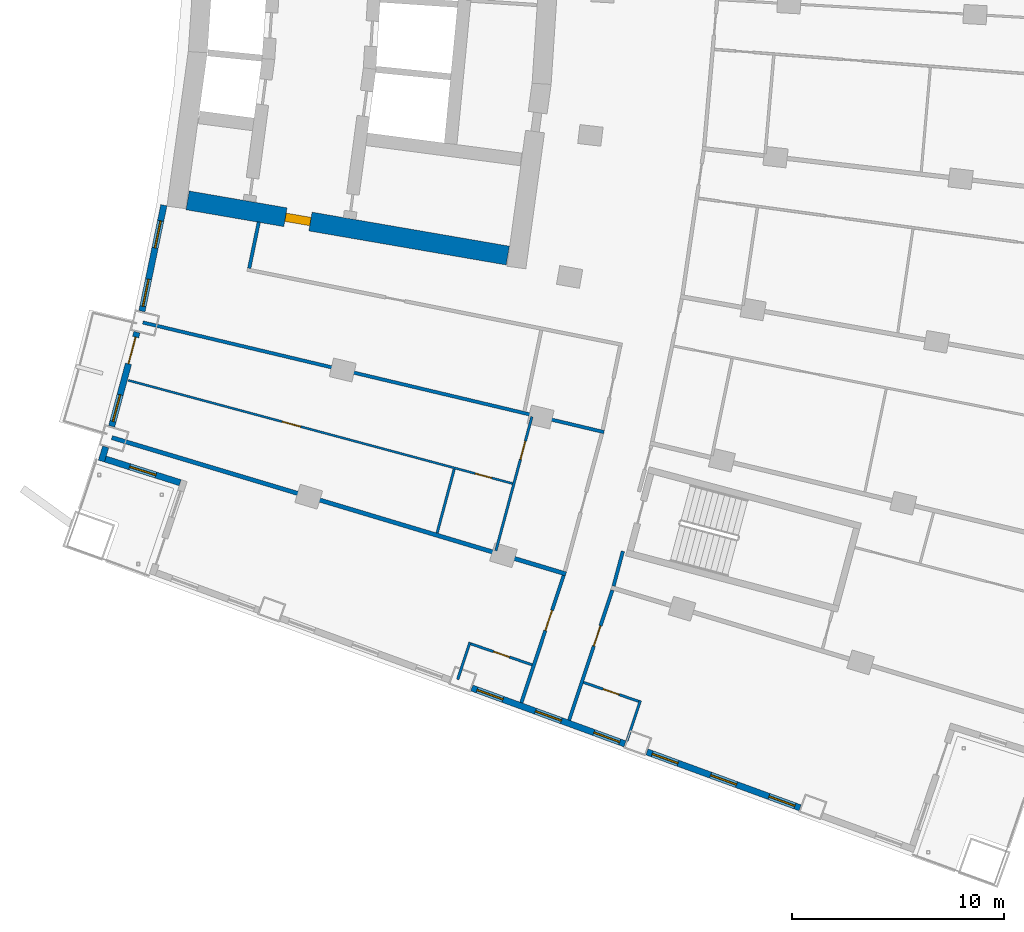
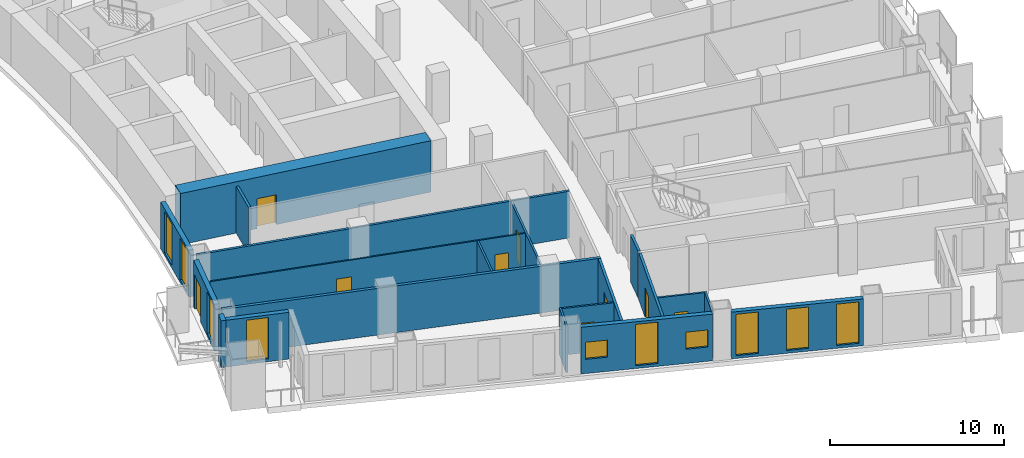
# One storey, part 13 of 25: 20 walls, 10 windows, 9 doors, 19 openings.
"""IFC4 building model written with IfcOpenShell, lengths in metres."""

from ifc_helpers import new_model, si_unit, direction, frame, frame_2d, origin, place, context, subcontext, project, spatial, rectangle, extrude, material, layer, layer_set, type_object, element, fill, save


model = new_model("IFC4")

# Units and contexts
model_context = context("Model", 3, precision=1e-05, world=origin(), true_north=direction((0.0, 1.0)))
body_context = subcontext(model_context, "Body", "Model", "MODEL_VIEW")
ifc_project = project(units=[si_unit("LENGTHUNIT", "METRE"), si_unit("AREAUNIT", "SQUARE_METRE"), si_unit("VOLUMEUNIT", "CUBIC_METRE"), si_unit("PLANEANGLEUNIT", "RADIAN"), si_unit("MASSUNIT", "GRAM", prefix="KILO")], contexts=[model_context])

# Site, building, storey
site_placement = place(None, origin())
site = spatial("IfcSite", under=ifc_project, at=site_placement, CompositionType="ELEMENT")
building_placement = place(site_placement, origin())
building = spatial("IfcBuilding", under=site, at=building_placement, Name="Alderwake Tower", CompositionType="ELEMENT")
storey_placement = place(building_placement, frame((0.0, 0.0, 68.0)))
storey = spatial("IfcBuildingStorey", under=building, at=storey_placement, Name="L16", CompositionType="ELEMENT", Elevation=68.0)

# Wall, opening, door
ifc_material_1 = material(Name="Concrete C70/85", Category="concrete")
ifc_layer_1 = layer(ifc_material_1, 0.89990234375)
ifc_layer_set_1 = layer_set([ifc_layer_1], Name="Core wall outer 900 C70-85")
wall_type_1 = type_object("IfcWallType", Name="Core wall outer 900 C70-85", PredefinedType="SHEAR", material=ifc_layer_set_1)
wall_1_placement = place(storey_placement, frame((31.11328125, 41.846923828125, 0.0), z_axis=(0.0, 0.0, 1.0), x_axis=(-0.985466640605, 0.169869067972, 0.0)))
wall_1 = element("IfcWall", 1, at=wall_1_placement, inside=storey, type_object=wall_type_1, Name="Core wall CW.070", PredefinedType="SHEAR", context=body_context, shape_type="SweptSolid", body=[
    extrude(rectangle(XDim=15.336669921875, YDim=0.89990234375, at=frame_2d((7.66845703125, 0.0))), origin(), (0.0, 0.0, 1.0), 3.60009765625),
])
opening_1_placement = place(wall_1_placement, frame((9.451904296875, 0.0, 0.0)))
opening_1 = element("IfcOpeningElement", 2, at=opening_1_placement, cuts=wall_1, Name="Opening C003", PredefinedType="OPENING", context=body_context, shape_type="SweptSolid", body=[
    extrude(rectangle(XDim=1.199951171875, YDim=2.10009765625, at=frame_2d((0.60009765625, 1.050048828125))), frame((0.0, 0.4599609375, 0.0), z_axis=(0.0, -1.0, 0.0), x_axis=(1.0, 0.0, 0.0)), (0.0, 0.0, 1.0), 0.919921875),
])
ifc_material_2 = material(Name="Steel-framed fire door leaf", Category="steel")
door_type_1 = type_object("IfcDoorType", Name="Core lobby exit door 1200 fire-rated", OperationType="SINGLE_SWING_LEFT", PredefinedType="DOOR", material=ifc_material_2)
door_1_placement = place(opening_1_placement, origin())
door_1 = element("IfcDoor", 3, at=door_1_placement, inside=storey, type_object=door_type_1, Name="Lobby door", OperationType="SINGLE_SWING_LEFT", OverallHeight=2.10009765625, OverallWidth=1.199951171875, PredefinedType="DOOR", context=body_context, shape_type="SweptSolid", body=[
    extrude(rectangle(XDim=1.199951171875, YDim=2.10009765625, at=frame_2d((0.60009765625, 1.050048828125))), frame((0.0, 0.199951171875, 0.0), z_axis=(0.0, -1.0, 0.0), x_axis=(1.0, 0.0, 0.0)), (0.0, 0.0, 1.0), 0.39990234375),
])
fill(opening_1, door_1)

# Walls
ifc_material_3 = material(Name="Gypsum board on metal studs, rated")
ifc_layer_2 = layer(ifc_material_3, 0.159912109375)
ifc_layer_set_2 = layer_set([ifc_layer_2], Name="Corridor wall 160")
wall_type_2 = type_object("IfcWallType", Name="Corridor wall 160", PredefinedType="PARTITIONING", material=ifc_layer_set_2)
wall_2_placement = place(storey_placement, frame((13.884033203125, 38.68798828125, 0.0), z_axis=(0.0, 0.0, 1.0), x_axis=(0.972893462073, -0.231253781493, 0.0)))
element("IfcWall", 4, at=wall_2_placement, inside=storey, type_object=wall_type_2, Name="WL/L16/W17", PredefinedType="PARTITIONING", context=body_context, shape_type="SweptSolid", body=[
    extrude(rectangle(XDim=22.38037109375, YDim=0.159912109375, at=frame_2d((11.190185546875, 0.0))), origin(), (0.0, 0.0, 1.0), 3.280029296875),
])
wall_3_placement = place(storey_placement, frame((19.35888671875, 43.430908203125, 0.0), z_axis=(0.0, 0.0, 1.0), x_axis=(-0.202554916658, -0.979270905183, 0.0)))
element("IfcWall", 5, at=wall_3_placement, inside=storey, type_object=wall_type_2, Name="WL/L16/W20", PredefinedType="PARTITIONING", context=body_context, shape_type="SweptSolid", body=[
    extrude(rectangle(XDim=2.229736328125, YDim=0.159912109375, at=frame_2d((1.11474609375, 0.0))), origin(), (0.0, 0.0, 1.0), 3.280029296875),
])

# Wall, opening, door
wall_4_placement = place(storey_placement, frame((31.7548828125, 20.739013671875, 0.0), z_axis=(0.0, 0.0, 1.0), x_axis=(0.31554473692, 0.948910701279, 0.0)))
wall_4 = element("IfcWall", 6, at=wall_4_placement, inside=storey, type_object=wall_type_2, Name="WL/L16/W22", PredefinedType="PARTITIONING", context=body_context, shape_type="SweptSolid", body=[
    extrude(rectangle(XDim=6.327392578125, YDim=0.159912109375, at=frame_2d((3.16357421875, 0.0))), origin(), (0.0, 0.0, 1.0), 3.280029296875),
])
opening_2_placement = place(wall_4_placement, frame((3.59130859375, 0.0, 0.0)))
opening_2 = element("IfcOpeningElement", 7, at=opening_2_placement, cuts=wall_4, Name="Opening R04-U12.1", PredefinedType="OPENING", context=body_context, shape_type="SweptSolid", body=[
    extrude(rectangle(XDim=1.0, YDim=2.10009765625, at=frame_2d((0.5, 1.050048828125))), frame((0.0, 0.08984375, 0.0), z_axis=(0.0, -1.0, 0.0), x_axis=(1.0, 0.0, 0.0)), (0.0, 0.0, 1.0), 0.179931640625),
])
ifc_material_4 = material(Name="Solid timber leaf in steel frame", Category="steel")
door_type_2 = type_object("IfcDoorType", Name="Flat entrance door 1000 fire-rated", OperationType="SINGLE_SWING_LEFT", PredefinedType="DOOR", material=ifc_material_4)
door_2_placement = place(opening_2_placement, origin())
door_2 = element("IfcDoor", 8, at=door_2_placement, inside=storey, type_object=door_type_2, Name="DR/L16/U12.1", OperationType="SINGLE_SWING_LEFT", OverallHeight=2.10009765625, OverallWidth=1.0, PredefinedType="DOOR", context=body_context, shape_type="SweptSolid", body=[
    extrude(rectangle(XDim=1.0, YDim=2.10009765625, at=frame_2d((0.5, 1.050048828125))), frame((0.0, 0.02490234375, 0.0), z_axis=(0.0, -1.0, 0.0), x_axis=(1.0, 0.0, 0.0)), (0.0, 0.0, 1.0), 0.050048828125),
])
fill(opening_2, door_2)

wall_5_placement = place(storey_placement, frame((36.049560546875, 26.052978515625, 0.0), z_axis=(0.0, 0.0, 1.0), x_axis=(-0.315151894598, -0.949041244273, 0.0)))
wall_5 = element("IfcWall", 9, at=wall_5_placement, inside=storey, type_object=wall_type_2, Name="WL/L16/W24", PredefinedType="PARTITIONING", context=body_context, shape_type="SweptSolid", body=[
    extrude(rectangle(XDim=6.468505859375, YDim=0.159912109375, at=frame_2d((3.234375, 0.0))), origin(), (0.0, 0.0, 1.0), 3.280029296875),
])
opening_3_placement = place(wall_5_placement, frame((1.7822265625, 0.0, 0.0)))
opening_3 = element("IfcOpeningElement", 10, at=opening_3_placement, cuts=wall_5, Name="Opening R04-U03.1", PredefinedType="OPENING", context=body_context, shape_type="SweptSolid", body=[
    extrude(rectangle(XDim=1.0, YDim=2.10009765625, at=frame_2d((0.5, 1.050048828125))), frame((0.0, 0.08984375, 0.0), z_axis=(0.0, -1.0, 0.0), x_axis=(1.0, 0.0, 0.0)), (0.0, 0.0, 1.0), 0.179931640625),
])
door_3_placement = place(opening_3_placement, origin())
door_3 = element("IfcDoor", 11, at=door_3_placement, inside=storey, type_object=door_type_2, Name="DR/L16/U03.1", OperationType="SINGLE_SWING_LEFT", OverallHeight=2.10009765625, OverallWidth=1.0, PredefinedType="DOOR", context=body_context, shape_type="SweptSolid", body=[
    extrude(rectangle(XDim=1.0, YDim=2.10009765625, at=frame_2d((0.5, 1.050048828125))), frame((0.0, 0.02490234375, 0.0), z_axis=(0.0, -1.0, 0.0), x_axis=(1.0, 0.0, 0.0)), (0.0, 0.0, 1.0), 0.050048828125),
])
fill(opening_3, door_3)

# Walls
wall_6_placement = place(storey_placement, frame((36.10693359375, 26.24462890625, 0.0), z_axis=(0.0, 0.0, 1.0), x_axis=(0.259346865847, 0.965784242559, 0.0)))
element("IfcWall", 12, at=wall_6_placement, inside=storey, type_object=wall_type_2, Name="WL/L16/W28", PredefinedType="PARTITIONING", context=body_context, shape_type="SweptSolid", body=[
    extrude(rectangle(XDim=1.704833984375, YDim=0.159912109375, at=frame_2d((0.8525390625, 0.0))), origin(), (0.0, 0.0, 1.0), 3.280029296875),
])
ifc_material_5 = material(Name="Precast concrete C50/60 spandrel panel", Category="concrete")
ifc_layer_3 = layer(ifc_material_5, 0.300048828125)
ifc_layer_set_3 = layer_set([ifc_layer_3], Name="External wall EW1 Precast concrete C50/60 spandrel")
wall_type_3 = type_object("IfcWallType", Name="External wall EW1 Precast concrete C50/60 spandrel", PredefinedType="SOLIDWALL", material=ifc_layer_set_3)
wall_7_placement = place(storey_placement, frame((12.1328125, 32.814453125, 0.0), z_axis=(0.0, 0.0, 1.0), x_axis=(-0.294671831364, -0.955598509731, 0.0)))
element("IfcWall", 13, at=wall_7_placement, inside=storey, type_object=wall_type_3, Name="External wall 1", PredefinedType="SOLIDWALL", context=body_context, shape_type="SweptSolid", body=[
    extrude(rectangle(XDim=0.70263671875, YDim=0.300048828125, at=frame_2d((0.351318359375, 0.0))), origin(), (0.0, 0.0, 1.0), 3.280029296875),
])

# Wall, openings, windows
wall_8_placement = place(storey_placement, frame((14.878173828125, 44.223388671875, 0.0), z_axis=(0.0, 0.0, 1.0), x_axis=(-0.202738354746, -0.979232944459, 0.0)))
wall_8 = element("IfcWall", 14, at=wall_8_placement, inside=storey, type_object=wall_type_3, Name="External wall 35", PredefinedType="SOLIDWALL", context=body_context, shape_type="SweptSolid", body=[
    extrude(rectangle(XDim=5.1083984375, YDim=0.300048828125, at=frame_2d((2.55419921875, 0.0))), origin(), (0.0, 0.0, 1.0), 3.280029296875),
])
opening_4_placement = place(wall_8_placement, frame((0.75634765625, 0.0, 0.199951171875)))
opening_4 = element("IfcOpeningElement", 15, at=opening_4_placement, cuts=wall_8, Name="Opening W1", PredefinedType="OPENING", context=body_context, shape_type="SweptSolid", body=[
    extrude(rectangle(XDim=1.300048828125, YDim=2.89990234375, at=frame_2d((0.64990234375, 1.449951171875))), frame((0.0, 0.159912109375, 0.0), z_axis=(0.0, -1.0, 0.0), x_axis=(1.0, 0.0, 0.0)), (0.0, 0.0, 1.0), 0.320068359375),
])
opening_5_placement = place(wall_8_placement, frame((3.569091796875, 0.0, 0.199951171875)))
opening_5 = element("IfcOpeningElement", 16, at=opening_5_placement, cuts=wall_8, Name="Opening W1", PredefinedType="OPENING", context=body_context, shape_type="SweptSolid", body=[
    extrude(rectangle(XDim=1.300048828125, YDim=2.89990234375, at=frame_2d((0.64990234375, 1.449951171875))), frame((0.0, 0.159912109375, 0.0), z_axis=(0.0, -1.0, 0.0), x_axis=(1.0, 0.0, 0.0)), (0.0, 0.0, 1.0), 0.320068359375),
])
ifc_material_6 = material(Name="Bronze tinted glass in aluminium frame", Category="aluminium")
window_type_1 = type_object("IfcWindowType", Name="Window W1 tall fixed and vent", PartitioningType="DOUBLE_PANEL_VERTICAL", PredefinedType="WINDOW", material=ifc_material_6)
window_1_placement = place(opening_4_placement, origin())
window_1 = element("IfcWindow", 17, at=window_1_placement, inside=storey, type_object=window_type_1, Name="Window W1 tall fixed and vent", OverallHeight=2.89990234375, OverallWidth=1.300048828125, PartitioningType="DOUBLE_PANEL_VERTICAL", PredefinedType="WINDOW", context=body_context, shape_type="SweptSolid", body=[
    extrude(rectangle(XDim=1.300048828125, YDim=2.89990234375, at=frame_2d((0.64990234375, 1.449951171875))), frame((0.0, 0.030029296875, 0.0), z_axis=(0.0, -1.0, 0.0), x_axis=(1.0, 0.0, 0.0)), (0.0, 0.0, 1.0), 0.06005859375),
])
fill(opening_4, window_1)
window_2_placement = place(opening_5_placement, origin())
window_2 = element("IfcWindow", 18, at=window_2_placement, inside=storey, type_object=window_type_1, Name="Window W1 tall fixed and vent", OverallHeight=2.89990234375, OverallWidth=1.300048828125, PartitioningType="DOUBLE_PANEL_VERTICAL", PredefinedType="WINDOW", context=body_context, shape_type="SweptSolid", body=[
    extrude(rectangle(XDim=1.300048828125, YDim=2.89990234375, at=frame_2d((0.64990234375, 1.449951171875))), frame((0.0, 0.030029296875, 0.0), z_axis=(0.0, -1.0, 0.0), x_axis=(1.0, 0.0, 0.0)), (0.0, 0.0, 1.0), 0.06005859375),
])
fill(opening_5, window_2)

# Wall, openings, door, window
wall_9_placement = place(storey_placement, frame((13.606689453125, 38.229248046875, 0.0), z_axis=(0.0, 0.0, 1.0), x_axis=(-0.259495671332, -0.965744270788, 0.0)))
wall_9 = element("IfcWall", 19, at=wall_9_placement, inside=storey, type_object=wall_type_3, Name="External wall 36", PredefinedType="SOLIDWALL", context=body_context, shape_type="SweptSolid", body=[
    extrude(rectangle(XDim=4.599609375, YDim=0.300048828125, at=frame_2d((2.2998046875, 0.0))), origin(), (0.0, 0.0, 1.0), 3.280029296875),
])
opening_6_placement = place(wall_9_placement, frame((0.2412109375, 0.0, 0.0)))
opening_6 = element("IfcOpeningElement", 20, at=opening_6_placement, cuts=wall_9, Name="Opening D16", PredefinedType="OPENING", context=body_context, shape_type="SweptSolid", body=[
    extrude(rectangle(XDim=1.300048828125, YDim=2.39990234375, at=frame_2d((0.64990234375, 1.199951171875))), frame((0.0, 0.159912109375, 0.0), z_axis=(0.0, -1.0, 0.0), x_axis=(1.0, 0.0, 0.0)), (0.0, 0.0, 1.0), 0.320068359375),
])
opening_7_placement = place(wall_9_placement, frame((3.058349609375, 0.0, 0.199951171875)))
opening_7 = element("IfcOpeningElement", 21, at=opening_7_placement, cuts=wall_9, Name="Opening W1", PredefinedType="OPENING", context=body_context, shape_type="SweptSolid", body=[
    extrude(rectangle(XDim=1.300048828125, YDim=2.89990234375, at=frame_2d((0.64990234375, 1.449951171875))), frame((0.0, 0.159912109375, 0.0), z_axis=(0.0, -1.0, 0.0), x_axis=(1.0, 0.0, 0.0)), (0.0, 0.0, 1.0), 0.320068359375),
])
ifc_material_7 = material(Name="Bronze tinted glass in aluminium frame", Category="aluminium")
door_type_3 = type_object("IfcDoorType", Name="Balcony door BD sliding", OperationType="SLIDING_TO_LEFT", PredefinedType="DOOR", material=ifc_material_7)
door_4_placement = place(opening_6_placement, origin())
door_4 = element("IfcDoor", 22, at=door_4_placement, inside=storey, type_object=door_type_3, Name="Door D16", OperationType="SLIDING_TO_LEFT", OverallHeight=2.39990234375, OverallWidth=1.300048828125, PredefinedType="DOOR", context=body_context, shape_type="SweptSolid", body=[
    extrude(rectangle(XDim=1.300048828125, YDim=2.39990234375, at=frame_2d((0.64990234375, 1.199951171875))), frame((0.0, 0.02490234375, 0.0), z_axis=(0.0, -1.0, 0.0), x_axis=(1.0, 0.0, 0.0)), (0.0, 0.0, 1.0), 0.050048828125),
])
fill(opening_6, door_4)
window_3_placement = place(opening_7_placement, origin())
window_3 = element("IfcWindow", 23, at=window_3_placement, inside=storey, type_object=window_type_1, Name="Window W1 tall fixed and vent", OverallHeight=2.89990234375, OverallWidth=1.300048828125, PartitioningType="DOUBLE_PANEL_VERTICAL", PredefinedType="WINDOW", context=body_context, shape_type="SweptSolid", body=[
    extrude(rectangle(XDim=1.300048828125, YDim=2.89990234375, at=frame_2d((0.64990234375, 1.449951171875))), frame((0.0, 0.030029296875, 0.0), z_axis=(0.0, -1.0, 0.0), x_axis=(1.0, 0.0, 0.0)), (0.0, 0.0, 1.0), 0.06005859375),
])
fill(opening_7, window_3)

# Wall, opening, window
ifc_material_8 = material(Name="Bronze metal cladding on lightweight framing")
ifc_layer_4 = layer(ifc_material_8, 0.300048828125)
ifc_layer_set_4 = layer_set([ifc_layer_4], Name="External wall EW2 bronze metal cladding")
wall_type_4 = type_object("IfcWallType", Name="External wall EW2 bronze metal cladding", PredefinedType="SOLIDWALL", material=ifc_layer_set_4)
wall_10_placement = place(storey_placement, frame((12.113037109375, 32.2412109375, 0.0), z_axis=(0.0, 0.0, 1.0), x_axis=(0.953458128271, -0.301525451054, 0.0)))
wall_10 = element("IfcWall", 24, at=wall_10_placement, inside=storey, type_object=wall_type_4, Name="External wall 2", PredefinedType="SOLIDWALL", context=body_context, shape_type="SweptSolid", body=[
    extrude(rectangle(XDim=3.705810546875, YDim=0.300048828125, at=frame_2d((1.85302734375, 0.0))), origin(), (0.0, 0.0, 1.0), 3.280029296875),
])
opening_8_placement = place(wall_10_placement, frame((1.202880859375, 0.0, 0.199951171875)))
opening_8 = element("IfcOpeningElement", 25, at=opening_8_placement, cuts=wall_10, Name="Opening W1", PredefinedType="OPENING", context=body_context, shape_type="SweptSolid", body=[
    extrude(rectangle(XDim=1.300048828125, YDim=2.89990234375, at=frame_2d((0.64990234375, 1.449951171875))), frame((0.0, 0.159912109375, 0.0), z_axis=(0.0, -1.0, 0.0), x_axis=(1.0, 0.0, 0.0)), (0.0, 0.0, 1.0), 0.320068359375),
])
window_4_placement = place(opening_8_placement, origin())
window_4 = element("IfcWindow", 26, at=window_4_placement, inside=storey, type_object=window_type_1, Name="Window W1 tall fixed and vent", OverallHeight=2.89990234375, OverallWidth=1.300048828125, PartitioningType="DOUBLE_PANEL_VERTICAL", PredefinedType="WINDOW", context=body_context, shape_type="SweptSolid", body=[
    extrude(rectangle(XDim=1.300048828125, YDim=2.89990234375, at=frame_2d((0.64990234375, 1.449951171875))), frame((0.0, 0.030029296875, 0.0), z_axis=(0.0, -1.0, 0.0), x_axis=(1.0, 0.0, 0.0)), (0.0, 0.0, 1.0), 0.06005859375),
])
fill(opening_8, window_4)

# Wall, openings, windows
wall_11_placement = place(storey_placement, frame((29.416748046875, 21.432373046875, 0.0), z_axis=(0.0, 0.0, 1.0), x_axis=(0.93936753929, -0.342911980148, 0.0)))
wall_11 = element("IfcWall", 27, at=wall_11_placement, inside=storey, type_object=wall_type_4, Name="External wall 6", PredefinedType="SOLIDWALL", context=body_context, shape_type="SweptSolid", body=[
    extrude(rectangle(XDim=7.695556640625, YDim=0.300048828125, at=frame_2d((3.84765625, 0.0))), origin(), (0.0, 0.0, 1.0), 3.280029296875),
])
opening_9_placement = place(wall_11_placement, frame((0.264404296875, 0.0, 1.0)))
opening_9 = element("IfcOpeningElement", 28, at=opening_9_placement, cuts=wall_11, Name="Opening W2", PredefinedType="OPENING", context=body_context, shape_type="SweptSolid", body=[
    extrude(rectangle(XDim=1.300048828125, YDim=1.199951171875, at=frame_2d((0.64990234375, 0.60009765625))), frame((0.0, 0.159912109375, 0.0), z_axis=(0.0, -1.0, 0.0), x_axis=(1.0, 0.0, 0.0)), (0.0, 0.0, 1.0), 0.320068359375),
])
opening_10_placement = place(wall_11_placement, frame((3.19775390625, 0.0, 0.199951171875)))
opening_10 = element("IfcOpeningElement", 29, at=opening_10_placement, cuts=wall_11, Name="Opening W1", PredefinedType="OPENING", context=body_context, shape_type="SweptSolid", body=[
    extrude(rectangle(XDim=1.300048828125, YDim=2.89990234375, at=frame_2d((0.64990234375, 1.449951171875))), frame((0.0, 0.159912109375, 0.0), z_axis=(0.0, -1.0, 0.0), x_axis=(1.0, 0.0, 0.0)), (0.0, 0.0, 1.0), 0.320068359375),
])
opening_11_placement = place(wall_11_placement, frame((6.131103515625, 0.0, 1.0)))
opening_11 = element("IfcOpeningElement", 30, at=opening_11_placement, cuts=wall_11, Name="Opening W2", PredefinedType="OPENING", context=body_context, shape_type="SweptSolid", body=[
    extrude(rectangle(XDim=1.300048828125, YDim=1.199951171875, at=frame_2d((0.64990234375, 0.60009765625))), frame((0.0, 0.159912109375, 0.0), z_axis=(0.0, -1.0, 0.0), x_axis=(1.0, 0.0, 0.0)), (0.0, 0.0, 1.0), 0.320068359375),
])
window_5_placement = place(opening_10_placement, origin())
window_5 = element("IfcWindow", 31, at=window_5_placement, inside=storey, type_object=window_type_1, Name="Window W1 tall fixed and vent", OverallHeight=2.89990234375, OverallWidth=1.300048828125, PartitioningType="DOUBLE_PANEL_VERTICAL", PredefinedType="WINDOW", context=body_context, shape_type="SweptSolid", body=[
    extrude(rectangle(XDim=1.300048828125, YDim=2.89990234375, at=frame_2d((0.64990234375, 1.449951171875))), frame((0.0, 0.030029296875, 0.0), z_axis=(0.0, -1.0, 0.0), x_axis=(1.0, 0.0, 0.0)), (0.0, 0.0, 1.0), 0.06005859375),
])
fill(opening_10, window_5)
ifc_material_9 = material(Name="Bronze tinted glass in aluminium frame", Category="aluminium")
window_type_2 = type_object("IfcWindowType", Name="Window W2 kitchen and bath", PartitioningType="SINGLE_PANEL", PredefinedType="WINDOW", material=ifc_material_9)
window_6_placement = place(opening_9_placement, origin())
window_6 = element("IfcWindow", 32, at=window_6_placement, inside=storey, type_object=window_type_2, Name="Window W2 kitchen and bath", OverallHeight=1.199951171875, OverallWidth=1.300048828125, PartitioningType="SINGLE_PANEL", PredefinedType="WINDOW", context=body_context, shape_type="SweptSolid", body=[
    extrude(rectangle(XDim=1.300048828125, YDim=1.199951171875, at=frame_2d((0.64990234375, 0.60009765625))), frame((0.0, 0.030029296875, 0.0), z_axis=(0.0, -1.0, 0.0), x_axis=(1.0, 0.0, 0.0)), (0.0, 0.0, 1.0), 0.06005859375),
])
fill(opening_9, window_6)
window_7_placement = place(opening_11_placement, origin())
window_7 = element("IfcWindow", 33, at=window_7_placement, inside=storey, type_object=window_type_2, Name="Window W2 kitchen and bath", OverallHeight=1.199951171875, OverallWidth=1.300048828125, PartitioningType="SINGLE_PANEL", PredefinedType="WINDOW", context=body_context, shape_type="SweptSolid", body=[
    extrude(rectangle(XDim=1.300048828125, YDim=1.199951171875, at=frame_2d((0.64990234375, 0.60009765625))), frame((0.0, 0.030029296875, 0.0), z_axis=(0.0, -1.0, 0.0), x_axis=(1.0, 0.0, 0.0)), (0.0, 0.0, 1.0), 0.06005859375),
])
fill(opening_11, window_7)

wall_12_placement = place(storey_placement, frame((37.68310546875, 18.414794921875, 0.0), z_axis=(0.0, 0.0, 1.0), x_axis=(0.939374999544, -0.342891542958, 0.0)))
wall_12 = element("IfcWall", 34, at=wall_12_placement, inside=storey, type_object=wall_type_4, Name="External wall 7", PredefinedType="SOLIDWALL", context=body_context, shape_type="SweptSolid", body=[
    extrude(rectangle(XDim=7.696044921875, YDim=0.300048828125, at=frame_2d((3.84814453125, 0.0))), origin(), (0.0, 0.0, 1.0), 3.280029296875),
])
opening_12_placement = place(wall_12_placement, frame((0.264404296875, 0.0, 0.199951171875)))
opening_12 = element("IfcOpeningElement", 35, at=opening_12_placement, cuts=wall_12, Name="Opening W1", PredefinedType="OPENING", context=body_context, shape_type="SweptSolid", body=[
    extrude(rectangle(XDim=1.300048828125, YDim=2.89990234375, at=frame_2d((0.64990234375, 1.449951171875))), frame((0.0, 0.159912109375, 0.0), z_axis=(0.0, -1.0, 0.0), x_axis=(1.0, 0.0, 0.0)), (0.0, 0.0, 1.0), 0.320068359375),
])
opening_13_placement = place(wall_12_placement, frame((3.197998046875, 0.0, 0.199951171875)))
opening_13 = element("IfcOpeningElement", 36, at=opening_13_placement, cuts=wall_12, Name="Opening W1", PredefinedType="OPENING", context=body_context, shape_type="SweptSolid", body=[
    extrude(rectangle(XDim=1.300048828125, YDim=2.89990234375, at=frame_2d((0.64990234375, 1.449951171875))), frame((0.0, 0.159912109375, 0.0), z_axis=(0.0, -1.0, 0.0), x_axis=(1.0, 0.0, 0.0)), (0.0, 0.0, 1.0), 0.320068359375),
])
opening_14_placement = place(wall_12_placement, frame((6.13134765625, 0.0, 0.199951171875)))
opening_14 = element("IfcOpeningElement", 37, at=opening_14_placement, cuts=wall_12, Name="Opening W1", PredefinedType="OPENING", context=body_context, shape_type="SweptSolid", body=[
    extrude(rectangle(XDim=1.300048828125, YDim=2.89990234375, at=frame_2d((0.64990234375, 1.449951171875))), frame((0.0, 0.159912109375, 0.0), z_axis=(0.0, -1.0, 0.0), x_axis=(1.0, 0.0, 0.0)), (0.0, 0.0, 1.0), 0.320068359375),
])
window_8_placement = place(opening_12_placement, origin())
window_8 = element("IfcWindow", 38, at=window_8_placement, inside=storey, type_object=window_type_1, Name="Window W1 tall fixed and vent", OverallHeight=2.89990234375, OverallWidth=1.300048828125, PartitioningType="DOUBLE_PANEL_VERTICAL", PredefinedType="WINDOW", context=body_context, shape_type="SweptSolid", body=[
    extrude(rectangle(XDim=1.300048828125, YDim=2.89990234375, at=frame_2d((0.64990234375, 1.449951171875))), frame((0.0, 0.030029296875, 0.0), z_axis=(0.0, -1.0, 0.0), x_axis=(1.0, 0.0, 0.0)), (0.0, 0.0, 1.0), 0.06005859375),
])
fill(opening_12, window_8)
window_9_placement = place(opening_13_placement, origin())
window_9 = element("IfcWindow", 39, at=window_9_placement, inside=storey, type_object=window_type_1, Name="Window W1 tall fixed and vent", OverallHeight=2.89990234375, OverallWidth=1.300048828125, PartitioningType="DOUBLE_PANEL_VERTICAL", PredefinedType="WINDOW", context=body_context, shape_type="SweptSolid", body=[
    extrude(rectangle(XDim=1.300048828125, YDim=2.89990234375, at=frame_2d((0.64990234375, 1.449951171875))), frame((0.0, 0.030029296875, 0.0), z_axis=(0.0, -1.0, 0.0), x_axis=(1.0, 0.0, 0.0)), (0.0, 0.0, 1.0), 0.06005859375),
])
fill(opening_13, window_9)
window_10_placement = place(opening_14_placement, origin())
window_10 = element("IfcWindow", 40, at=window_10_placement, inside=storey, type_object=window_type_1, Name="Window W1 tall fixed and vent", OverallHeight=2.89990234375, OverallWidth=1.300048828125, PartitioningType="DOUBLE_PANEL_VERTICAL", PredefinedType="WINDOW", context=body_context, shape_type="SweptSolid", body=[
    extrude(rectangle(XDim=1.300048828125, YDim=2.89990234375, at=frame_2d((0.64990234375, 1.449951171875))), frame((0.0, 0.030029296875, 0.0), z_axis=(0.0, -1.0, 0.0), x_axis=(1.0, 0.0, 0.0)), (0.0, 0.0, 1.0), 0.06005859375),
])
fill(opening_14, window_10)

# Wall
ifc_material_10 = material(Name="Dense block masonry wall", Category="masonry")
ifc_layer_5 = layer(ifc_material_10, 0.199951171875)
ifc_layer_set_5 = layer_set([ifc_layer_5], Name="Party wall 200")
wall_type_5 = type_object("IfcWallType", Name="Party wall 200", PredefinedType="SOLIDWALL", material=ifc_layer_set_5)
wall_13_placement = place(storey_placement, frame((33.859619140625, 26.81494140625, 0.0), z_axis=(0.0, 0.0, 1.0), x_axis=(-0.95775179957, 0.287596054251, 0.0)))
element("IfcWall", 41, at=wall_13_placement, inside=storey, type_object=wall_type_5, Name="WL/L16/W03", PredefinedType="SOLIDWALL", context=body_context, shape_type="SweptSolid", body=[
    extrude(rectangle(XDim=22.382080078125, YDim=0.199951171875, at=frame_2d((11.19091796875, 0.0))), origin(), (0.0, 0.0, 1.0), 3.280029296875),
])

# Wall, openings, doors
ifc_material_11 = material(Name="Gypsum board on metal studs")
ifc_layer_6 = layer(ifc_material_11, 0.10009765625)
ifc_layer_set_6 = layer_set([ifc_layer_6], Name="Unit partition 100")
wall_type_6 = type_object("IfcWallType", Name="Unit partition 100", PredefinedType="PARTITIONING", material=ifc_layer_set_6)
wall_14_placement = place(storey_placement, frame((31.340087890625, 31.08349609375, 0.0), z_axis=(0.0, 0.0, 1.0), x_axis=(-0.965761886649, 0.259430102909, 0.0)))
wall_14 = element("IfcWall", 42, at=wall_14_placement, inside=storey, type_object=wall_type_6, Name="WL/L16/W67", PredefinedType="PARTITIONING", context=body_context, shape_type="SweptSolid", body=[
    extrude(rectangle(XDim=18.789306640625, YDim=0.10009765625, at=frame_2d((9.39453125, 0.0))), origin(), (0.0, 0.0, 1.0), 3.280029296875),
])
opening_15_placement = place(wall_14_placement, frame((1.0185546875, 0.0, 0.0)))
opening_15 = element("IfcOpeningElement", 43, at=opening_15_placement, cuts=wall_14, Name="Opening R04-U13.3", PredefinedType="OPENING", context=body_context, shape_type="SweptSolid", body=[
    extrude(rectangle(XDim=0.800048828125, YDim=2.10009765625, at=frame_2d((0.39990234375, 1.050048828125))), frame((0.0, 0.06005859375, 0.0), z_axis=(0.0, -1.0, 0.0), x_axis=(1.0, 0.0, 0.0)), (0.0, 0.0, 1.0), 0.1201171875),
])
opening_16_placement = place(wall_14_placement, frame((10.363037109375, 0.0, 0.0)))
opening_16 = element("IfcOpeningElement", 44, at=opening_16_placement, cuts=wall_14, Name="Opening R04-U13.4", PredefinedType="OPENING", context=body_context, shape_type="SweptSolid", body=[
    extrude(rectangle(XDim=0.89990234375, YDim=2.10009765625, at=frame_2d((0.449951171875, 1.050048828125))), frame((0.0, 0.06005859375, 0.0), z_axis=(0.0, -1.0, 0.0), x_axis=(1.0, 0.0, 0.0)), (0.0, 0.0, 1.0), 0.1201171875),
])
ifc_material_12 = material(Name="Painted timber leaf", Category="wood")
door_type_4 = type_object("IfcDoorType", Name="Bathroom door 800", OperationType="SINGLE_SWING_LEFT", PredefinedType="DOOR", material=ifc_material_12)
door_5_placement = place(opening_15_placement, origin())
door_5 = element("IfcDoor", 45, at=door_5_placement, inside=storey, type_object=door_type_4, Name="DR/L16/U13.3", OperationType="SINGLE_SWING_LEFT", OverallHeight=2.10009765625, OverallWidth=0.800048828125, PredefinedType="DOOR", context=body_context, shape_type="SweptSolid", body=[
    extrude(rectangle(XDim=0.800048828125, YDim=2.10009765625, at=frame_2d((0.39990234375, 1.050048828125))), frame((0.0, 0.02490234375, 0.0), z_axis=(0.0, -1.0, 0.0), x_axis=(1.0, 0.0, 0.0)), (0.0, 0.0, 1.0), 0.050048828125),
])
fill(opening_15, door_5)
ifc_material_13 = material(Name="Painted timber leaf", Category="wood")
door_type_5 = type_object("IfcDoorType", Name="Room door 900", OperationType="SINGLE_SWING_LEFT", PredefinedType="DOOR", material=ifc_material_13)
door_6_placement = place(opening_16_placement, origin())
door_6 = element("IfcDoor", 46, at=door_6_placement, inside=storey, type_object=door_type_5, Name="DR/L16/U13.4", OperationType="SINGLE_SWING_LEFT", OverallHeight=2.10009765625, OverallWidth=0.89990234375, PredefinedType="DOOR", context=body_context, shape_type="SweptSolid", body=[
    extrude(rectangle(XDim=0.89990234375, YDim=2.10009765625, at=frame_2d((0.449951171875, 1.050048828125))), frame((0.0, 0.02490234375, 0.0), z_axis=(0.0, -1.0, 0.0), x_axis=(1.0, 0.0, 0.0)), (0.0, 0.0, 1.0), 0.050048828125),
])
fill(opening_16, door_6)

# Walls
ifc_material_14 = material(Name="Moisture resistant gypsum board on metal studs")
ifc_layer_7 = layer(ifc_material_14, 0.1201171875)
ifc_layer_set_7 = layer_set([ifc_layer_7], Name="Wet room partition 120")
wall_type_7 = type_object("IfcWallType", Name="Wet room partition 120", PredefinedType="PARTITIONING", material=ifc_layer_set_7)
wall_15_placement = place(storey_placement, frame((28.586181640625, 31.769775390625, 0.0), z_axis=(0.0, 0.0, 1.0), x_axis=(-0.258890741102, -0.965906612552, 0.0)))
element("IfcWall", 47, at=wall_15_placement, inside=storey, type_object=wall_type_7, Name="WL/L16/W43", PredefinedType="PARTITIONING", context=body_context, shape_type="SweptSolid", body=[
    extrude(rectangle(XDim=3.1298828125, YDim=0.1201171875, at=frame_2d((1.56494140625, 0.0))), origin(), (0.0, 0.0, 1.0), 3.280029296875),
])
wall_16_placement = place(storey_placement, frame((29.331787109375, 23.591796875, 0.0), z_axis=(0.0, 0.0, 1.0), x_axis=(-0.315158113589, -0.949039179085, 0.0)))
element("IfcWall", 48, at=wall_16_placement, inside=storey, type_object=wall_type_7, Name="WL/L16/W45", PredefinedType="PARTITIONING", context=body_context, shape_type="SweptSolid", body=[
    extrude(rectangle(XDim=1.84912109375, YDim=0.1201171875, at=frame_2d((0.924560546875, 0.0))), origin(), (0.0, 0.0, 1.0), 3.280029296875),
])

# Wall, opening, door
wall_17_placement = place(storey_placement, frame((30.551025390625, 27.91259765625, 0.0), z_axis=(0.0, 0.0, 1.0), x_axis=(0.259786390708, 0.965666107515, 0.0)))
wall_17 = element("IfcWall", 49, at=wall_17_placement, inside=storey, type_object=wall_type_7, Name="WL/L16/W47", PredefinedType="PARTITIONING", context=body_context, shape_type="SweptSolid", body=[
    extrude(rectangle(XDim=6.552001953125, YDim=0.1201171875, at=frame_2d((3.27587890625, 0.0))), origin(), (0.0, 0.0, 1.0), 3.280029296875),
])
opening_17_placement = place(wall_17_placement, frame((4.459228515625, 0.0, 0.0)))
opening_17 = element("IfcOpeningElement", 50, at=opening_17_placement, cuts=wall_17, Name="Opening R04-U13.2", PredefinedType="OPENING", context=body_context, shape_type="SweptSolid", body=[
    extrude(rectangle(XDim=0.89990234375, YDim=2.10009765625, at=frame_2d((0.449951171875, 1.050048828125))), frame((0.0, 0.070068359375, 0.0), z_axis=(0.0, -1.0, 0.0), x_axis=(1.0, 0.0, 0.0)), (0.0, 0.0, 1.0), 0.14013671875),
])
door_7_placement = place(opening_17_placement, origin())
door_7 = element("IfcDoor", 51, at=door_7_placement, inside=storey, type_object=door_type_5, Name="DR/L16/U13.2", OperationType="SINGLE_SWING_LEFT", OverallHeight=2.10009765625, OverallWidth=0.89990234375, PredefinedType="DOOR", context=body_context, shape_type="SweptSolid", body=[
    extrude(rectangle(XDim=0.89990234375, YDim=2.10009765625, at=frame_2d((0.449951171875, 1.050048828125))), frame((0.0, 0.02490234375, 0.0), z_axis=(0.0, -1.0, 0.0), x_axis=(1.0, 0.0, 0.0)), (0.0, 0.0, 1.0), 0.050048828125),
])
fill(opening_17, door_7)

wall_18_placement = place(storey_placement, frame((32.264404296875, 22.52587890625, 0.0), z_axis=(0.0, 0.0, 1.0), x_axis=(-0.946212858894, 0.323544781542, 0.0)))
wall_18 = element("IfcWall", 52, at=wall_18_placement, inside=storey, type_object=wall_type_7, Name="WL/L16/W49", PredefinedType="PARTITIONING", context=body_context, shape_type="SweptSolid", body=[
    extrude(rectangle(XDim=3.05908203125, YDim=0.1201171875, at=frame_2d((1.529541015625, 0.0))), origin(), (0.0, 0.0, 1.0), 3.280029296875),
])
opening_18_placement = place(wall_18_placement, frame((1.12939453125, 0.0, 0.0)))
opening_18 = element("IfcOpeningElement", 53, at=opening_18_placement, cuts=wall_18, Name="Opening R04-U12.2", PredefinedType="OPENING", context=body_context, shape_type="SweptSolid", body=[
    extrude(rectangle(XDim=0.800048828125, YDim=2.10009765625, at=frame_2d((0.39990234375, 1.050048828125))), frame((0.0, 0.070068359375, 0.0), z_axis=(0.0, -1.0, 0.0), x_axis=(1.0, 0.0, 0.0)), (0.0, 0.0, 1.0), 0.14013671875),
])
door_8_placement = place(opening_18_placement, origin())
door_8 = element("IfcDoor", 54, at=door_8_placement, inside=storey, type_object=door_type_4, Name="DR/L16/U12.2", OperationType="SINGLE_SWING_LEFT", OverallHeight=2.10009765625, OverallWidth=0.800048828125, PredefinedType="DOOR", context=body_context, shape_type="SweptSolid", body=[
    extrude(rectangle(XDim=0.800048828125, YDim=2.10009765625, at=frame_2d((0.39990234375, 1.050048828125))), frame((0.0, 0.02490234375, 0.0), z_axis=(0.0, -1.0, 0.0), x_axis=(1.0, 0.0, 0.0)), (0.0, 0.0, 1.0), 0.050048828125),
])
fill(opening_18, door_8)

# Wall
wall_19_placement = place(storey_placement, frame((36.735107421875, 18.9208984375, 0.0), z_axis=(0.0, 0.0, 1.0), x_axis=(0.315212330495, 0.949021172948, 0.0)))
element("IfcWall", 55, at=wall_19_placement, inside=storey, type_object=wall_type_7, Name="WL/L16/W51", PredefinedType="PARTITIONING", context=body_context, shape_type="SweptSolid", body=[
    extrude(rectangle(XDim=2.02001953125, YDim=0.1201171875, at=frame_2d((1.010009765625, 0.0))), origin(), (0.0, 0.0, 1.0), 3.280029296875),
])

# Wall, opening, door
wall_20_placement = place(storey_placement, frame((37.29638671875, 20.800537109375, 0.0), z_axis=(0.0, 0.0, 1.0), x_axis=(-0.94575033225, 0.324894304427, 0.0)))
wall_20 = element("IfcWall", 56, at=wall_20_placement, inside=storey, type_object=wall_type_7, Name="WL/L16/W52", PredefinedType="PARTITIONING", context=body_context, shape_type="SweptSolid", body=[
    extrude(rectangle(XDim=2.75927734375, YDim=0.1201171875, at=frame_2d((1.379638671875, 0.0))), origin(), (0.0, 0.0, 1.0), 3.280029296875),
])
opening_19_placement = place(wall_20_placement, frame((0.9794921875, 0.0, 0.0)))
opening_19 = element("IfcOpeningElement", 57, at=opening_19_placement, cuts=wall_20, Name="Opening R04-U03.2", PredefinedType="OPENING", context=body_context, shape_type="SweptSolid", body=[
    extrude(rectangle(XDim=0.800048828125, YDim=2.10009765625, at=frame_2d((0.39990234375, 1.050048828125))), frame((0.0, 0.070068359375, 0.0), z_axis=(0.0, -1.0, 0.0), x_axis=(1.0, 0.0, 0.0)), (0.0, 0.0, 1.0), 0.14013671875),
])
door_9_placement = place(opening_19_placement, origin())
door_9 = element("IfcDoor", 58, at=door_9_placement, inside=storey, type_object=door_type_4, Name="DR/L16/U03.2", OperationType="SINGLE_SWING_LEFT", OverallHeight=2.10009765625, OverallWidth=0.800048828125, PredefinedType="DOOR", context=body_context, shape_type="SweptSolid", body=[
    extrude(rectangle(XDim=0.800048828125, YDim=2.10009765625, at=frame_2d((0.39990234375, 1.050048828125))), frame((0.0, 0.02490234375, 0.0), z_axis=(0.0, -1.0, 0.0), x_axis=(1.0, 0.0, 0.0)), (0.0, 0.0, 1.0), 0.050048828125),
])
fill(opening_19, door_9)

save(model, "model.ifc")
